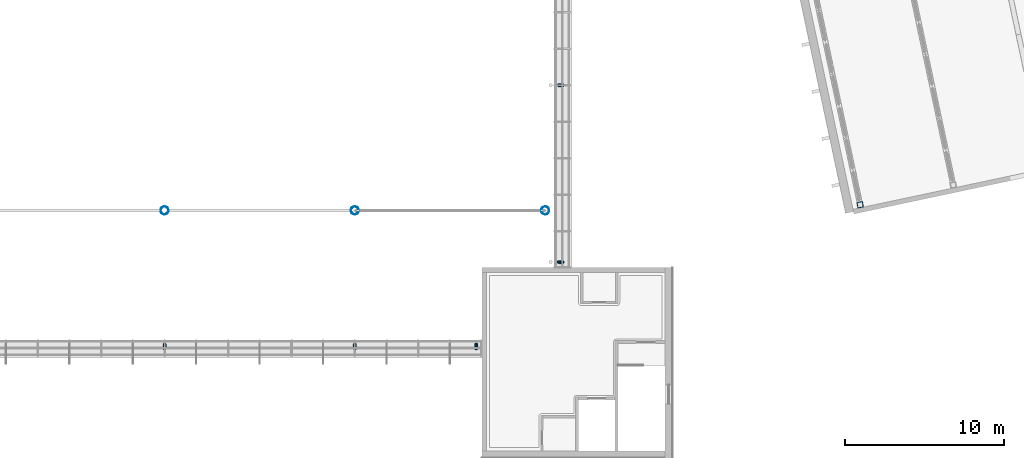
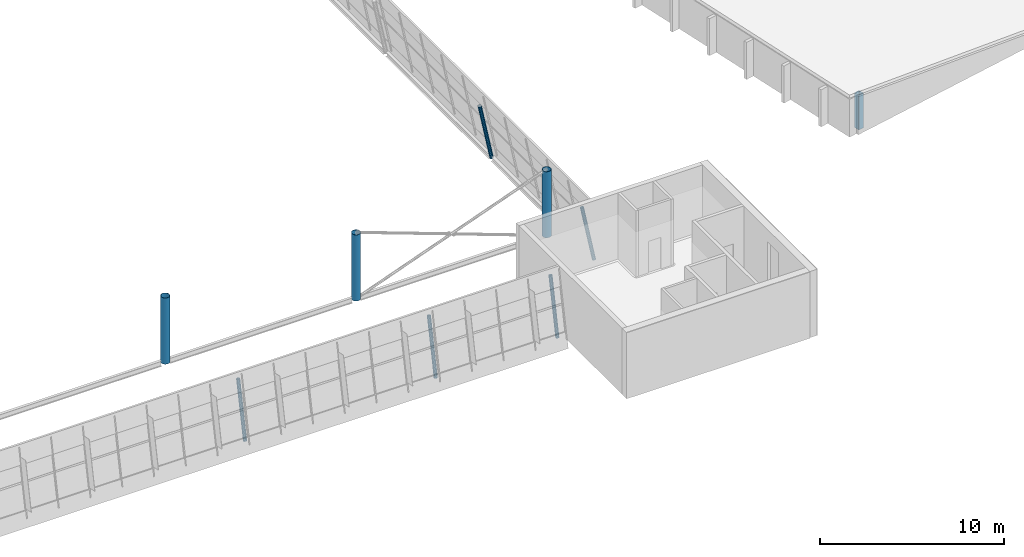
# One storey, part 4 of 50: 9 columns.
"""IFC4 building model written with IfcOpenShell, lengths in metres."""

from ifc_helpers import new_model, si_unit, direction, frame, origin, origin_2d, place, context, subcontext, project, spatial, hollow_rectangle, hollow_circle, extrude, material, material_profile, profile_set, type_object, element, save


model = new_model("IFC4")

# Units and contexts
model_context = context("Model", 3, precision=1e-05, world=origin(), true_north=direction((0.0, 1.0)))
body_context = subcontext(model_context, "Body", "Model", "MODEL_VIEW")
ifc_project = project(units=[si_unit("LENGTHUNIT", "METRE"), si_unit("AREAUNIT", "SQUARE_METRE"), si_unit("VOLUMEUNIT", "CUBIC_METRE"), si_unit("PLANEANGLEUNIT", "RADIAN"), si_unit("MASSUNIT", "GRAM", prefix="KILO")], contexts=[model_context])

# Site, building, storey
site_placement = place(None, origin())
site = spatial("IfcSite", under=ifc_project, at=site_placement, CompositionType="ELEMENT")
building_placement = place(site_placement, origin())
building = spatial("IfcBuilding", under=site, at=building_placement, Name="Windward Yard Aquatics Centre", CompositionType="ELEMENT")
storey_placement = place(building_placement, frame((0.0, 0.0, 18.199951171875)))
storey = spatial("IfcBuildingStorey", under=building, at=storey_placement, Name="L04", CompositionType="ELEMENT", Elevation=18.199951171875)

# Columns
ifc_material = material(Name="Steel ASTM A500 Gr C", Category="steel")
ifc_material_profile_1 = material_profile(ifc_material, hollow_rectangle(XDim=0.355712890625, YDim=0.355712890625, WallThickness=0.015869140625, InnerFilletRadius=0.008056640625, OuterFilletRadius=0.02392578125, at=origin_2d()), Name="HSS356X356X15.9")
ifc_profile_set_1 = profile_set([ifc_material_profile_1], Name="Steel ASTM A500 Gr C")
column_type_1 = type_object("IfcColumnType", Name="D column HSS356X356X15.9", PredefinedType="COLUMN", material=ifc_profile_set_1)
column_placement = place(storey_placement, frame((163.857177734375, 41.961669921875, 0.0), z_axis=(0.0, 0.0, 1.0), x_axis=(0.978147600734, 0.207911690818, 0.0)))
element("IfcColumn", 1, at=column_placement, inside=storey, type_object=column_type_1, Name="D.COL.1.1.6", PredefinedType="COLUMN", context=body_context, shape_type="SweptSolid", body=[
    extrude(hollow_rectangle(XDim=0.355712890625, YDim=0.355712890625, WallThickness=0.015869140625, InnerFilletRadius=0.008056640625, OuterFilletRadius=0.02392578125, at=origin_2d()), origin(), (0.0, 0.0, 1.0), 2.3046875),
])
ifc_material_profile_2 = material_profile(ifc_material, hollow_circle(Radius=0.25390625, WallThickness=0.015869140625, at=origin_2d()), Name="HSS508X15.9")
ifc_profile_set_2 = profile_set([ifc_material_profile_2], Name="Steel ASTM A500 Gr C")
column_type_2 = type_object("IfcColumnType", Name="H arch column HSS508X15.9", PredefinedType="COLUMN", material=ifc_profile_set_2)
for number, where, z_axis, x_axis, name in (
    (2, (120.0, 41.60009765625, 0.0), (0.0, 0.0, 1.0), (1.0, 0.0, 0.0), "H.AC.S6.L04"),
    (3, (132.0, 41.60009765625, 0.0), (0.0, 0.0, 1.0), (1.0, 0.0, 0.0), "H.AC.S7.L04"),
    (4, (144.0, 41.60009765625, 0.0), (0.0, 0.0, 1.0), (1.0, 0.0, 0.0), "H.AC.S8.L04"),
):
    element("IfcColumn", number, at=place(storey_placement, frame(where, z_axis=z_axis, x_axis=x_axis)), inside=storey, type_object=column_type_2, Name=name, PredefinedType="COLUMN", context=body_context, shape_type="SweptSolid", body=[
        extrude(hollow_circle(Radius=0.25390625, WallThickness=0.015869140625, at=origin_2d()), origin(), (0.0, 0.0, 1.0), 4.400146484375),
    ])
ifc_material_profile_3 = material_profile(ifc_material, hollow_circle(Radius=0.109619140625, WallThickness=0.0126953125, at=origin_2d()), Name="HSS219.1X12.7")
ifc_profile_set_3 = profile_set([ifc_material_profile_3], Name="Steel ASTM A500 Gr C")
column_type_3 = type_object("IfcColumnType", Name="H tier 2 leg HSS219.1X12.7", PredefinedType="COLUMN", material=ifc_profile_set_3)
for number, where, z_axis, x_axis, name in (
    (5, (120.0, 32.90478515625, 0.0), (0.0, 0.199397546047, 0.979918679601), (-1.0, 0.0, 0.0), "H.TL.S6.T2B.L04"),
    (6, (132.0, 32.90478515625, 0.0), (0.0, 0.199397546047, 0.979918679601), (-1.0, 0.0, 0.0), "H.TL.S7.T2B.L04"),
    (7, (139.64990234375, 32.90478515625, 0.0), (0.0, 0.199397546047, 0.979918679601), (-1.0, 0.0, 0.0), "H.TL.S8.T2B.L04"),
    (8, (145.09521484375, 38.35009765625, 0.0), (-0.199397546047, 0.0, 0.979918679601), (0.0, -1.0, 0.0), "H.TL.E1.T2B.L04"),
    (9, (145.09521484375, 49.5, 0.0), (-0.199397546047, 0.0, 0.979918679601), (0.0, -1.0, 0.0), "H.TL.E2.T2B.L04"),
):
    element("IfcColumn", number, at=place(storey_placement, frame(where, z_axis=z_axis, x_axis=x_axis)), inside=storey, type_object=column_type_3, Name=name, PredefinedType="COLUMN", context=body_context, shape_type="SweptSolid", body=[
        extrude(hollow_circle(Radius=0.109619140625, WallThickness=0.0126953125, at=origin_2d()), origin(), (0.0, 0.0, 1.0), 3.776123046875),
    ])

save(model, "model.ifc")
